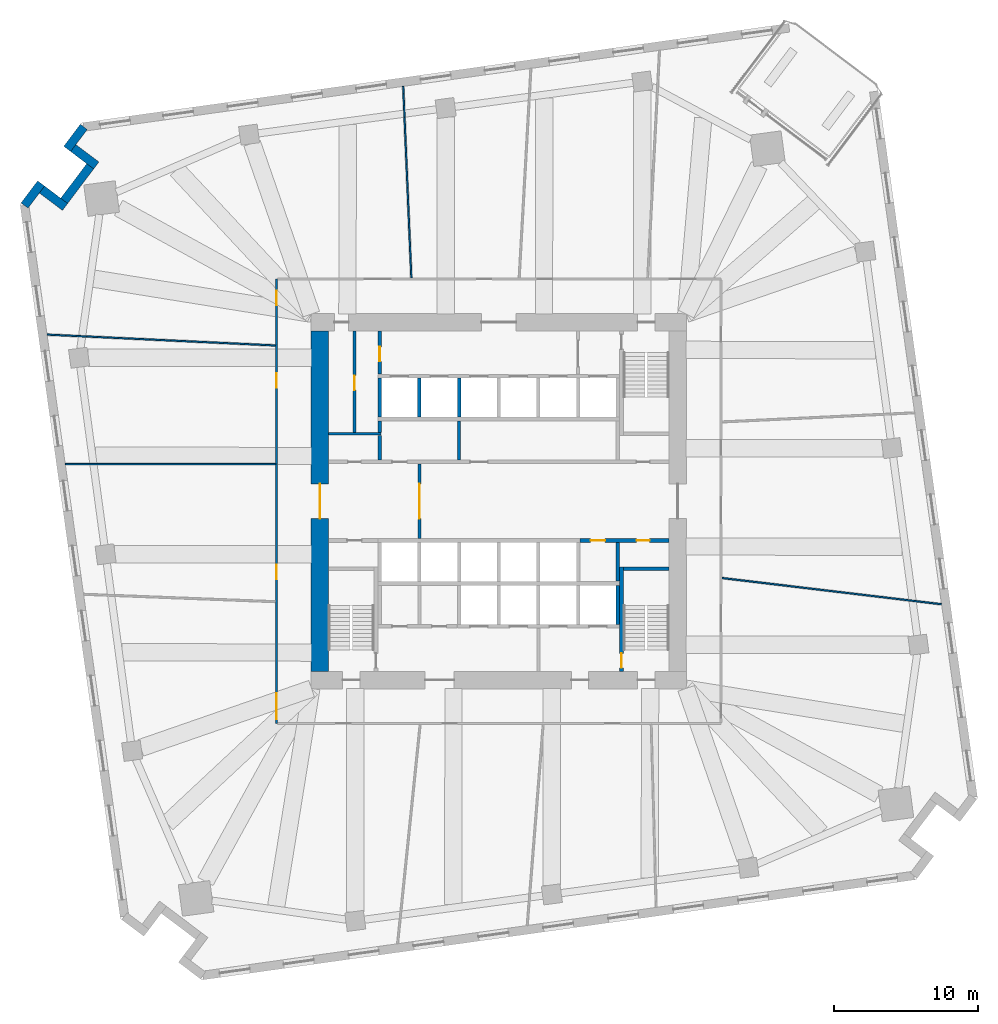
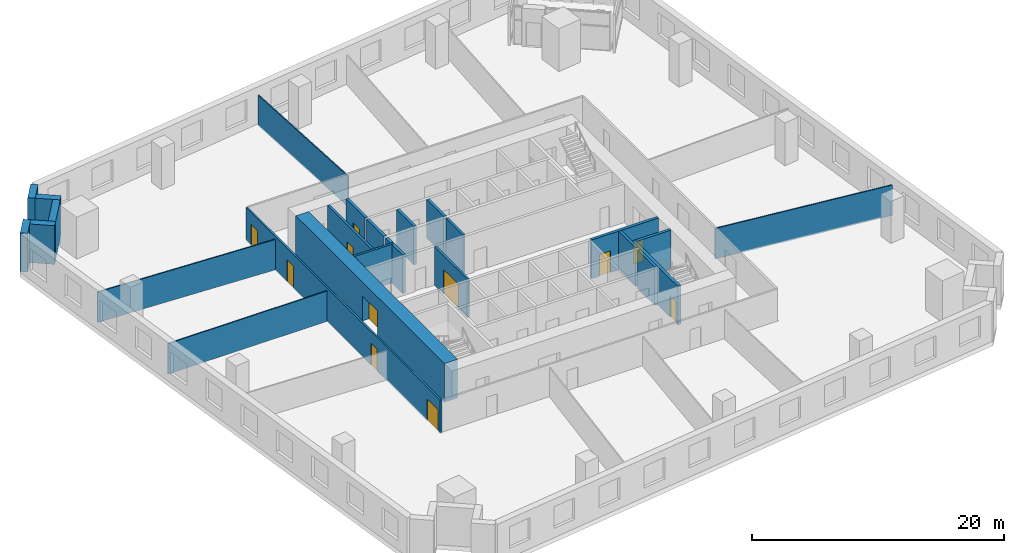
# One storey, part 7 of 12: 26 walls, 11 doors, 11 openings.
"""IFC4 building model written with IfcOpenShell, lengths in metres."""

from ifc_helpers import new_model, si_unit, direction, frame, frame_2d, origin, place, context, subcontext, project, spatial, rectangle, extrude, material, layer, layer_set, type_object, element, fill, save


model = new_model("IFC4")

# Units and contexts
model_context = context("Model", 3, precision=1e-05, world=origin(), true_north=direction((0.0, 1.0)))
body_context = subcontext(model_context, "Body", "Model", "MODEL_VIEW")
ifc_project = project(units=[si_unit("LENGTHUNIT", "METRE"), si_unit("AREAUNIT", "SQUARE_METRE"), si_unit("VOLUMEUNIT", "CUBIC_METRE"), si_unit("PLANEANGLEUNIT", "RADIAN"), si_unit("MASSUNIT", "GRAM", prefix="KILO")], contexts=[model_context])

# Site, building, storey
site_placement = place(None, origin())
site = spatial("IfcSite", under=ifc_project, at=site_placement, CompositionType="ELEMENT")
building_placement = place(site_placement, origin())
building = spatial("IfcBuilding", under=site, at=building_placement, Name="Dilmun Exchange Tower", CompositionType="ELEMENT")
storey_placement = place(building_placement, frame((0.0, 0.0, 55.5)))
storey = spatial("IfcBuildingStorey", under=building, at=storey_placement, Name="L12", CompositionType="ELEMENT", Elevation=55.5)

# Wall, opening, door
ifc_material_1 = material(Name="Concrete C40/50", Category="concrete")
ifc_layer_1 = layer(ifc_material_1, 0.199951171875)
ifc_layer_set_1 = layer_set([ifc_layer_1], Name="Concrete C40/50")
wall_type_1 = type_object("IfcWallType", Name="Core partition wall 200", PredefinedType="PARTITIONING", material=ifc_layer_set_1)
wall_1_placement = place(storey_placement, frame((-5.5, -2.594970703125, 0.0), z_axis=(0.0, 0.0, 1.0), x_axis=(0.0, 1.0, 0.0)))
wall_1 = element("IfcWall", 1, at=wall_1_placement, inside=storey, type_object=wall_type_1, Name="L12 core partition wall 08", PredefinedType="PARTITIONING", context=body_context, shape_type="SweptSolid", body=[
    extrude(rectangle(XDim=5.18994140625, YDim=0.199951171875, at=frame_2d((2.594970703125, 0.0))), origin(), (0.0, 0.0, 1.0), 3.75),
])
opening_1_placement = place(wall_1_placement, frame((1.39501953125, 0.0, 0.0)))
opening_1 = element("IfcOpeningElement", 2, at=opening_1_placement, cuts=wall_1, Name="Opening CD1", PredefinedType="OPENING", context=body_context, shape_type="SweptSolid", body=[
    extrude(rectangle(XDim=2.39990234375, YDim=2.39990234375, at=frame_2d((1.199951171875, 1.199951171875))), frame((0.0, 0.10986328125, 0.0), z_axis=(0.0, -1.0, 0.0), x_axis=(1.0, 0.0, 0.0)), (0.0, 0.0, 1.0), 0.219970703125),
])
ifc_material_2 = material(Name="Fire-rated steel door set", Category="steel")
door_type_1 = type_object("IfcDoorType", Name="Core lobby door 2400x2400", OperationType="DOUBLE_DOOR_DOUBLE_SWING", PredefinedType="DOOR", material=ifc_material_2)
door_1_placement = place(opening_1_placement, origin())
door_1 = element("IfcDoor", 3, at=door_1_placement, inside=storey, type_object=door_type_1, Name="L12 door Lift lobby east", OperationType="SINGLE_SWING_LEFT", OverallHeight=2.39990234375, OverallWidth=2.39990234375, PredefinedType="DOOR", context=body_context, shape_type="SweptSolid", body=[
    extrude(rectangle(XDim=2.39990234375, YDim=2.39990234375, at=frame_2d((1.199951171875, 1.199951171875))), frame((0.0, 0.02490234375, 0.0), z_axis=(0.0, -1.0, 0.0), x_axis=(1.0, 0.0, 0.0)), (0.0, 0.0, 1.0), 0.050048828125),
])
fill(opening_1, door_1)

# Walls
wall_2_placement = place(storey_placement, frame((-2.75, 2.85498046875, 0.0), z_axis=(0.0, 0.0, 1.0), x_axis=(0.0, 1.0, 0.0)))
element("IfcWall", 4, at=wall_2_placement, inside=storey, type_object=wall_type_1, Name="L12 core partition wall 11", PredefinedType="PARTITIONING", context=body_context, shape_type="SweptSolid", body=[
    extrude(rectangle(XDim=2.68994140625, YDim=0.199951171875, at=frame_2d((1.344970703125, 0.0))), origin(), (0.0, 0.0, 1.0), 3.75),
])
wall_3_placement = place(storey_placement, frame((-11.794921875, 4.675048828125, 0.0), z_axis=(0.0, 0.0, 1.0), x_axis=(1.0, 0.0, 0.0)))
element("IfcWall", 5, at=wall_3_placement, inside=storey, type_object=wall_type_1, Name="L12 core partition wall 13", PredefinedType="PARTITIONING", context=body_context, shape_type="SweptSolid", body=[
    extrude(rectangle(XDim=3.64501953125, YDim=0.199951171875, at=frame_2d((1.822509765625, 0.0))), origin(), (0.0, 0.0, 1.0), 3.75),
])

# Wall, opening, door
wall_4_placement = place(storey_placement, frame((-10.0, 4.780029296875, 0.0), z_axis=(0.0, 0.0, 1.0), x_axis=(0.0, 1.0, 0.0)))
wall_4 = element("IfcWall", 6, at=wall_4_placement, inside=storey, type_object=wall_type_1, Name="L12 core partition wall 14", PredefinedType="PARTITIONING", context=body_context, shape_type="SweptSolid", body=[
    extrude(rectangle(XDim=7.014892578125, YDim=0.199951171875, at=frame_2d((3.50732421875, 0.0))), origin(), (0.0, 0.0, 1.0), 3.75),
])
opening_2_placement = place(wall_4_placement, frame((2.919921875, 0.0, 0.0)))
opening_2 = element("IfcOpeningElement", 7, at=opening_2_placement, cuts=wall_4, Name="Opening CD4", PredefinedType="OPENING", context=body_context, shape_type="SweptSolid", body=[
    extrude(rectangle(XDim=1.0, YDim=2.10009765625, at=frame_2d((0.5, 1.050048828125))), frame((0.0, 0.10986328125, 0.0), z_axis=(0.0, -1.0, 0.0), x_axis=(1.0, 0.0, 0.0)), (0.0, 0.0, 1.0), 0.219970703125),
])
door_type_2 = type_object("IfcDoorType", Name="Core room door 1000x2100", OperationType="SINGLE_SWING_LEFT", PredefinedType="DOOR", material=ifc_material_2)
door_2_placement = place(opening_2_placement, origin())
door_2 = element("IfcDoor", 8, at=door_2_placement, inside=storey, type_object=door_type_2, Name="L12 door Comms room", OperationType="SINGLE_SWING_LEFT", OverallHeight=2.10009765625, OverallWidth=1.0, PredefinedType="DOOR", context=body_context, shape_type="SweptSolid", body=[
    extrude(rectangle(XDim=1.0, YDim=2.10009765625, at=frame_2d((0.5, 1.050048828125))), frame((0.0, 0.02490234375, 0.0), z_axis=(0.0, -1.0, 0.0), x_axis=(1.0, 0.0, 0.0)), (0.0, 0.0, 1.0), 0.050048828125),
])
fill(opening_2, door_2)

# Wall
ifc_layer_2 = layer(ifc_material_1, 0.25)
ifc_layer_set_2 = layer_set([ifc_layer_2], Name="Concrete C40/50")
wall_type_2 = type_object("IfcWallType", Name="Core partition wall 250", PredefinedType="PARTITIONING", material=ifc_layer_set_2)
wall_5_placement = place(storey_placement, frame((8.25, -5.544921875, 0.0), z_axis=(0.0, 0.0, 1.0), x_axis=(0.0, 1.0, 0.0)))
element("IfcWall", 9, at=wall_5_placement, inside=storey, type_object=wall_type_2, Name="L12 core partition wall 05", PredefinedType="PARTITIONING", context=body_context, shape_type="SweptSolid", body=[
    extrude(rectangle(XDim=2.68994140625, YDim=0.25, at=frame_2d((1.344970703125, 0.0))), origin(), (0.0, 0.0, 1.0), 3.75),
])

# Wall, openings, doors
wall_6_placement = place(storey_placement, frame((5.6298828125, -2.72509765625, 0.0), z_axis=(0.0, 0.0, 1.0), x_axis=(1.0, 0.0, 0.0)))
wall_6 = element("IfcWall", 10, at=wall_6_placement, inside=storey, type_object=wall_type_2, Name="L12 core partition wall 07", PredefinedType="PARTITIONING", context=body_context, shape_type="SweptSolid", body=[
    extrude(rectangle(XDim=6.1650390625, YDim=0.25, at=frame_2d((3.08251953125, 0.0))), origin(), (0.0, 0.0, 1.0), 3.75),
])
opening_3_placement = place(wall_6_placement, frame((0.7451171875, 0.0, 0.0)))
opening_3 = element("IfcOpeningElement", 11, at=opening_3_placement, cuts=wall_6, Name="Opening CD4", PredefinedType="OPENING", context=body_context, shape_type="SweptSolid", body=[
    extrude(rectangle(XDim=1.0, YDim=2.10009765625, at=frame_2d((0.5, 1.050048828125))), frame((0.0, 0.135009765625, 0.0), z_axis=(0.0, -1.0, 0.0), x_axis=(1.0, 0.0, 0.0)), (0.0, 0.0, 1.0), 0.27001953125),
])
opening_4_placement = place(wall_6_placement, frame((3.919921875, 0.0, 0.0)))
opening_4 = element("IfcOpeningElement", 12, at=opening_4_placement, cuts=wall_6, Name="Opening CD6", PredefinedType="OPENING", context=body_context, shape_type="SweptSolid", body=[
    extrude(rectangle(XDim=0.89990234375, YDim=2.10009765625, at=frame_2d((0.449951171875, 1.050048828125))), frame((0.0, 0.135009765625, 0.0), z_axis=(0.0, -1.0, 0.0), x_axis=(1.0, 0.0, 0.0)), (0.0, 0.0, 1.0), 0.27001953125),
])
door_3_placement = place(opening_3_placement, origin())
door_3 = element("IfcDoor", 13, at=door_3_placement, inside=storey, type_object=door_type_2, Name="L12 door Cleaners' store", OperationType="SINGLE_SWING_LEFT", OverallHeight=2.10009765625, OverallWidth=1.0, PredefinedType="DOOR", context=body_context, shape_type="SweptSolid", body=[
    extrude(rectangle(XDim=1.0, YDim=2.10009765625, at=frame_2d((0.5, 1.050048828125))), frame((0.0, 0.02490234375, 0.0), z_axis=(0.0, -1.0, 0.0), x_axis=(1.0, 0.0, 0.0)), (0.0, 0.0, 1.0), 0.050048828125),
])
fill(opening_3, door_3)
door_type_3 = type_object("IfcDoorType", Name="Core room door 900x2100", OperationType="SINGLE_SWING_LEFT", PredefinedType="DOOR", material=ifc_material_2)
door_4_placement = place(opening_4_placement, origin())
door_4 = element("IfcDoor", 14, at=door_4_placement, inside=storey, type_object=door_type_3, Name="L12 door Comms riser", OperationType="SINGLE_SWING_LEFT", OverallHeight=2.10009765625, OverallWidth=0.89990234375, PredefinedType="DOOR", context=body_context, shape_type="SweptSolid", body=[
    extrude(rectangle(XDim=0.89990234375, YDim=2.10009765625, at=frame_2d((0.449951171875, 1.050048828125))), frame((0.0, 0.02490234375, 0.0), z_axis=(0.0, -1.0, 0.0), x_axis=(1.0, 0.0, 0.0)), (0.0, 0.0, 1.0), 0.050048828125),
])
fill(opening_4, door_4)

# Walls
wall_7_placement = place(storey_placement, frame((-8.25, 2.85498046875, 0.0), z_axis=(0.0, 0.0, 1.0), x_axis=(0.0, 1.0, 0.0)))
element("IfcWall", 15, at=wall_7_placement, inside=storey, type_object=wall_type_2, Name="L12 core partition wall 10", PredefinedType="PARTITIONING", context=body_context, shape_type="SweptSolid", body=[
    extrude(rectangle(XDim=1.715087890625, YDim=0.25, at=frame_2d((0.857421875, 0.0))), origin(), (0.0, 0.0, 1.0), 3.75),
])
wall_8_placement = place(storey_placement, frame((-8.25, 4.780029296875, 0.0), z_axis=(0.0, 0.0, 1.0), x_axis=(0.0, 1.0, 0.0)))
element("IfcWall", 16, at=wall_8_placement, inside=storey, type_object=wall_type_2, Name="L12 core partition wall 15", PredefinedType="PARTITIONING", context=body_context, shape_type="SweptSolid", body=[
    extrude(rectangle(XDim=0.764892578125, YDim=0.25, at=frame_2d((0.38232421875, 0.0))), origin(), (0.0, 0.0, 1.0), 3.75),
])

# Wall, opening, door
wall_9_placement = place(storey_placement, frame((-8.25, 8.804931640625, 0.0), z_axis=(0.0, 0.0, 1.0), x_axis=(0.0, 1.0, 0.0)))
wall_9 = element("IfcWall", 17, at=wall_9_placement, inside=storey, type_object=wall_type_2, Name="L12 core partition wall 16", PredefinedType="PARTITIONING", context=body_context, shape_type="SweptSolid", body=[
    extrude(rectangle(XDim=2.989990234375, YDim=0.25, at=frame_2d((1.4951171875, 0.0))), origin(), (0.0, 0.0, 1.0), 3.75),
])
opening_5_placement = place(wall_9_placement, frame((0.89501953125, 0.0, 0.0)))
opening_5 = element("IfcOpeningElement", 18, at=opening_5_placement, cuts=wall_9, Name="Opening CD4", PredefinedType="OPENING", context=body_context, shape_type="SweptSolid", body=[
    extrude(rectangle(XDim=1.0, YDim=2.10009765625, at=frame_2d((0.5, 1.050048828125))), frame((0.0, 0.135009765625, 0.0), z_axis=(0.0, -1.0, 0.0), x_axis=(1.0, 0.0, 0.0)), (0.0, 0.0, 1.0), 0.27001953125),
])
door_5_placement = place(opening_5_placement, origin())
door_5 = element("IfcDoor", 19, at=door_5_placement, inside=storey, type_object=door_type_2, Name="L12 door Security room", OperationType="SINGLE_SWING_LEFT", OverallHeight=2.10009765625, OverallWidth=1.0, PredefinedType="DOOR", context=body_context, shape_type="SweptSolid", body=[
    extrude(rectangle(XDim=1.0, YDim=2.10009765625, at=frame_2d((0.5, 1.050048828125))), frame((0.0, 0.02490234375, 0.0), z_axis=(0.0, -1.0, 0.0), x_axis=(1.0, 0.0, 0.0)), (0.0, 0.0, 1.0), 0.050048828125),
])
fill(opening_5, door_5)

ifc_material_3 = material(Name="Concrete C80/95", Category="concrete")
ifc_layer_3 = layer(ifc_material_3, 1.199951171875)
ifc_layer_set_3 = layer_set([ifc_layer_3], Name="Concrete C80/95")
wall_type_3 = type_object("IfcWallType", Name="Core shear wall 1200 Concrete C80/95", PredefinedType="SHEAR", material=ifc_layer_set_3)
wall_10_placement = place(storey_placement, frame((-12.39990234375, -11.800048828125, 0.0), z_axis=(0.0, 0.0, 1.0), x_axis=(0.0, 1.0, 0.0)))
wall_10 = element("IfcWall", 20, at=wall_10_placement, inside=storey, type_object=wall_type_3, Name="L12 core shear wall W", PredefinedType="SHEAR", context=body_context, shape_type="SweptSolid", body=[
    extrude(rectangle(XDim=23.60009765625, YDim=1.199951171875, at=frame_2d((11.800048828125, 0.0))), origin(), (0.0, 0.0, 1.0), 3.75),
])
opening_6_placement = place(wall_10_placement, frame((10.60009765625, 0.0, 0.0)))
opening_6 = element("IfcOpeningElement", 21, at=opening_6_placement, cuts=wall_10, Name="Opening CD1", PredefinedType="OPENING", context=body_context, shape_type="SweptSolid", body=[
    extrude(rectangle(XDim=2.39990234375, YDim=2.39990234375, at=frame_2d((1.199951171875, 1.199951171875))), frame((0.0, 0.60986328125, 0.0), z_axis=(0.0, -1.0, 0.0), x_axis=(1.0, 0.0, 0.0)), (0.0, 0.0, 1.0), 1.219970703125),
])
door_6_placement = place(opening_6_placement, origin())
door_6 = element("IfcDoor", 22, at=door_6_placement, inside=storey, type_object=door_type_1, Name="L12 door Central lift lobby", OperationType="SINGLE_SWING_LEFT", OverallHeight=2.39990234375, OverallWidth=2.39990234375, PredefinedType="DOOR", context=body_context, shape_type="SweptSolid", body=[
    extrude(rectangle(XDim=2.39990234375, YDim=2.39990234375, at=frame_2d((1.199951171875, 1.199951171875))), frame((0.0, 0.02490234375, 0.0), z_axis=(0.0, -1.0, 0.0), x_axis=(1.0, 0.0, 0.0)), (0.0, 0.0, 1.0), 0.050048828125),
])
fill(opening_6, door_6)

# Wall, openings, doors
ifc_material_4 = material(Name="Corridor wall 150")
ifc_layer_4 = layer(ifc_material_4, 0.14990234375)
ifc_layer_set_4 = layer_set([ifc_layer_4], Name="Corridor wall 150")
wall_type_4 = type_object("IfcWallType", Name="Corridor wall 150", PredefinedType="PARTITIONING", material=ifc_layer_set_4)
wall_11_placement = place(storey_placement, frame((-15.39990234375, -15.39990234375, 0.0), z_axis=(0.0, 0.0, 1.0), x_axis=(0.0, 1.0, 0.0)))
wall_11 = element("IfcWall", 23, at=wall_11_placement, inside=storey, type_object=wall_type_4, Name="Corridor wall", PredefinedType="PARTITIONING", context=body_context, shape_type="SweptSolid", body=[
    extrude(rectangle(XDim=30.7998046875, YDim=0.14990234375, at=frame_2d((15.39990234375, 0.0))), origin(), (0.0, 0.0, 1.0), 3.25),
])
opening_7_placement = place(wall_11_placement, frame((23.27197265625, 0.0, 0.0)))
opening_7 = element("IfcOpeningElement", 24, at=opening_7_placement, cuts=wall_11, Name="Opening TF11-D01", PredefinedType="OPENING", context=body_context, shape_type="SweptSolid", body=[
    extrude(rectangle(XDim=1.0, YDim=2.10009765625, at=frame_2d((0.5, 1.050048828125))), frame((0.0, 0.0849609375, 0.0), z_axis=(0.0, -1.0, 0.0), x_axis=(1.0, 0.0, 0.0)), (0.0, 0.0, 1.0), 0.169921875),
])
opening_8_placement = place(wall_11_placement, frame((9.982177734375, 0.0, 0.0)))
opening_8 = element("IfcOpeningElement", 25, at=opening_8_placement, cuts=wall_11, Name="Opening TF11-D02", PredefinedType="OPENING", context=body_context, shape_type="SweptSolid", body=[
    extrude(rectangle(XDim=1.0, YDim=2.10009765625, at=frame_2d((0.5, 1.050048828125))), frame((0.0, 0.0849609375, 0.0), z_axis=(0.0, -1.0, 0.0), x_axis=(1.0, 0.0, 0.0)), (0.0, 0.0, 1.0), 0.169921875),
])
opening_9_placement = place(wall_11_placement, frame((28.993408203125, 0.0, 0.0)))
opening_9 = element("IfcOpeningElement", 26, at=opening_9_placement, cuts=wall_11, Name="Opening TF11-D04", PredefinedType="OPENING", context=body_context, shape_type="SweptSolid", body=[
    extrude(rectangle(XDim=1.0, YDim=2.10009765625, at=frame_2d((0.5, 1.050048828125))), frame((0.0, 0.0849609375, 0.0), z_axis=(0.0, -1.0, 0.0), x_axis=(1.0, 0.0, 0.0)), (0.0, 0.0, 1.0), 0.169921875),
])
opening_10_placement = place(wall_11_placement, frame((0.300048828125, 0.0, 0.0)))
opening_10 = element("IfcOpeningElement", 27, at=opening_10_placement, cuts=wall_11, Name="Opening TF11-D05", PredefinedType="OPENING", context=body_context, shape_type="SweptSolid", body=[
    extrude(rectangle(XDim=1.800048828125, YDim=2.10009765625, at=frame_2d((0.89990234375, 1.050048828125))), frame((0.0, 0.0849609375, 0.0), z_axis=(0.0, -1.0, 0.0), x_axis=(1.0, 0.0, 0.0)), (0.0, 0.0, 1.0), 0.169921875),
])
ifc_material_5 = material(Name="Fire door 1000 x 2100")
door_type_4 = type_object("IfcDoorType", Name="Fire door 1000 x 2100", OperationType="NOTDEFINED", PredefinedType="DOOR", material=ifc_material_5)
door_7_placement = place(opening_7_placement, origin())
door_7 = element("IfcDoor", 28, at=door_7_placement, inside=storey, type_object=door_type_4, Name="Door TF11-D01", OperationType="SINGLE_SWING_LEFT", OverallHeight=2.10009765625, OverallWidth=1.0, PredefinedType="DOOR", context=body_context, shape_type="SweptSolid", body=[
    extrude(rectangle(XDim=1.0, YDim=2.10009765625, at=frame_2d((0.5, 1.050048828125))), frame((0.0, 0.02490234375, 0.0), z_axis=(0.0, -1.0, 0.0), x_axis=(1.0, 0.0, 0.0)), (0.0, 0.0, 1.0), 0.050048828125),
])
fill(opening_7, door_7)
door_8_placement = place(opening_8_placement, origin())
door_8 = element("IfcDoor", 29, at=door_8_placement, inside=storey, type_object=door_type_4, Name="Door TF11-D02", OperationType="SINGLE_SWING_RIGHT", OverallHeight=2.10009765625, OverallWidth=1.0, PredefinedType="DOOR", context=body_context, shape_type="SweptSolid", body=[
    extrude(rectangle(XDim=1.0, YDim=2.10009765625, at=frame_2d((0.5, 1.050048828125))), frame((0.0, 0.02490234375, 0.0), z_axis=(0.0, -1.0, 0.0), x_axis=(1.0, 0.0, 0.0)), (0.0, 0.0, 1.0), 0.050048828125),
])
fill(opening_8, door_8)
door_9_placement = place(opening_9_placement, origin())
door_9 = element("IfcDoor", 30, at=door_9_placement, inside=storey, type_object=door_type_4, Name="Door TF11-D04", OperationType="SINGLE_SWING_LEFT", OverallHeight=2.10009765625, OverallWidth=1.0, PredefinedType="DOOR", context=body_context, shape_type="SweptSolid", body=[
    extrude(rectangle(XDim=1.0, YDim=2.10009765625, at=frame_2d((0.5, 1.050048828125))), frame((0.0, 0.02490234375, 0.0), z_axis=(0.0, -1.0, 0.0), x_axis=(1.0, 0.0, 0.0)), (0.0, 0.0, 1.0), 0.050048828125),
])
fill(opening_9, door_9)
ifc_material_6 = material(Name="Fire door pair 1800 x 2100")
door_type_5 = type_object("IfcDoorType", Name="Fire door pair 1800 x 2100", OperationType="NOTDEFINED", PredefinedType="DOOR", material=ifc_material_6)
door_10_placement = place(opening_10_placement, origin())
door_10 = element("IfcDoor", 31, at=door_10_placement, inside=storey, type_object=door_type_5, Name="Door TF11-D05", OperationType="DOUBLE_DOOR_SINGLE_SWING", OverallHeight=2.10009765625, OverallWidth=1.800048828125, PredefinedType="DOOR", context=body_context, shape_type="SweptSolid", body=[
    extrude(rectangle(XDim=1.800048828125, YDim=2.10009765625, at=frame_2d((0.89990234375, 1.050048828125))), frame((0.0, 0.02490234375, 0.0), z_axis=(0.0, -1.0, 0.0), x_axis=(1.0, 0.0, 0.0)), (0.0, 0.0, 1.0), 0.050048828125),
])
fill(opening_10, door_10)

# Walls
ifc_layer_5 = layer(ifc_material_1, 0.25)
ifc_layer_set_5 = layer_set([ifc_layer_5], Name="Concrete C40/50")
wall_type_5 = type_object("IfcWallType", Name="Lift shaft wall 250", PredefinedType="SOLIDWALL", material=ifc_layer_set_5)
for number, where, z_axis, x_axis, name in (
    (32, (-8.25, 5.85009765625, 0.0), (0.0, 0.0, 1.0), (0.0, 1.0, 0.0), "L12 lift shaft divider N20"),
    (33, (-5.5, 5.85009765625, 0.0), (0.0, 0.0, 1.0), (0.0, 1.0, 0.0), "L12 lift shaft divider N21"),
    (34, (-2.75, 5.85009765625, 0.0), (0.0, 0.0, 1.0), (0.0, 1.0, 0.0), "L12 lift shaft divider N22"),
    (35, (8.25, -8.550048828125, 0.0), (0.0, 0.0, 1.0), (0.0, 1.0, 0.0), "L12 lift shaft divider S26"),
):
    element("IfcWall", number, at=place(storey_placement, frame(where, z_axis=z_axis, x_axis=x_axis)), inside=storey, type_object=wall_type_5, Name=name, PredefinedType="SOLIDWALL", context=body_context, shape_type="SweptSolid", body=[
        extrude(rectangle(XDim=2.699951171875, YDim=0.25, at=frame_2d((1.35009765625, 0.0))), origin(), (0.0, 0.0, 1.0), 3.75),
    ])
ifc_material_7 = material(Name="Partition 100")
ifc_layer_6 = layer(ifc_material_7, 0.10009765625)
ifc_layer_set_6 = layer_set([ifc_layer_6], Name="Partition 100")
wall_type_6 = type_object("IfcWallType", Name="Partition 100", PredefinedType="PARTITIONING", material=ifc_layer_set_6)
wall_12_placement = place(storey_placement, frame((-31.31005859375, 11.5498046875, 0.0), z_axis=(0.0, 0.0, 1.0), x_axis=(0.998870436484, -0.047516850882, 0.0)))
element("IfcWall", 36, at=wall_12_placement, inside=storey, type_object=wall_type_6, Name="Partition", PredefinedType="PARTITIONING", context=body_context, shape_type="SweptSolid", body=[
    extrude(rectangle(XDim=15.8505859375, YDim=0.10009765625, at=frame_2d((7.92529296875, 0.0))), origin(), (0.0, 0.0, 1.0), 2.949951171875),
])
wall_13_placement = place(storey_placement, frame((-30.049072265625, 2.576904296875, 0.0), z_axis=(0.0, 0.0, 1.0), x_axis=(0.999999943875, -0.000335036416, 0.0)))
element("IfcWall", 37, at=wall_13_placement, inside=storey, type_object=wall_type_6, Name="Partition", PredefinedType="PARTITIONING", context=body_context, shape_type="SweptSolid", body=[
    extrude(rectangle(XDim=14.573974609375, YDim=0.10009765625, at=frame_2d((7.287109375, 0.0))), origin(), (0.0, 0.0, 1.0), 2.949951171875),
])
wall_14_placement = place(storey_placement, frame((-6.625244140625, 28.755859375, 0.0), z_axis=(0.0, 0.0, 1.0), x_axis=(0.042506133855, -0.99909620587, 0.0)))
element("IfcWall", 38, at=wall_14_placement, inside=storey, type_object=wall_type_6, Name="Partition", PredefinedType="PARTITIONING", context=body_context, shape_type="SweptSolid", body=[
    extrude(rectangle(XDim=13.290771484375, YDim=0.10009765625, at=frame_2d((6.6455078125, 0.0))), origin(), (0.0, 0.0, 1.0), 2.949951171875),
])
wall_15_placement = place(storey_placement, frame((15.48095703125, -5.32373046875, 0.0), z_axis=(0.0, 0.0, 1.0), x_axis=(0.992944104388, -0.118583327501, 0.0)))
element("IfcWall", 39, at=wall_15_placement, inside=storey, type_object=wall_type_6, Name="Partition", PredefinedType="PARTITIONING", context=body_context, shape_type="SweptSolid", body=[
    extrude(rectangle(XDim=15.317626953125, YDim=0.10009765625, at=frame_2d((7.65869140625, 0.0))), origin(), (0.0, 0.0, 1.0), 2.949951171875),
])
ifc_material_8 = material(Name="Precast concrete C50/60", Category="concrete")
ifc_layer_7 = layer(ifc_material_8, 0.60009765625)
ifc_layer_set_7 = layer_set([ifc_layer_7], Name="Precast concrete C50/60")
wall_type_7 = type_object("IfcWallType", Name="Precast stone-clad wall 600", PredefinedType="STANDARD", material=ifc_layer_set_7)
wall_16_placement = place(storey_placement, frame((-28.76708984375, 25.948974609375, 0.0), z_axis=(0.0, 0.0, 1.0), x_axis=(-0.601797104511, -0.798649012397, 0.0)))
element("IfcWall", 40, at=wall_16_placement, inside=storey, type_object=wall_type_7, Name="Facade wall L12-04", PredefinedType="STANDARD", context=body_context, shape_type="SweptSolid", body=[
    extrude(rectangle(XDim=1.9111328125, YDim=0.60009765625, at=frame_2d((0.95556640625, 0.0))), origin(), (0.0, 0.0, 1.0), 3.75),
])
wall_17_placement = place(storey_placement, frame((-29.497314453125, 24.481689453125, 0.0), z_axis=(0.0, 0.0, 1.0), x_axis=(0.798606420838, -0.601853623896, 0.0)))
element("IfcWall", 41, at=wall_17_placement, inside=storey, type_object=wall_type_7, Name="Facade wall L12-05", PredefinedType="STANDARD", context=body_context, shape_type="SweptSolid", body=[
    extrude(rectangle(XDim=2.000244140625, YDim=0.60009765625, at=frame_2d((1.0, 0.0))), origin(), (0.0, 0.0, 1.0), 3.75),
])
wall_18_placement = place(storey_placement, frame((-28.320068359375, 23.218994140625, 0.0), z_axis=(0.0, 0.0, 1.0), x_axis=(-0.601795327796, -0.798650351182, 0.0)))
element("IfcWall", 42, at=wall_18_placement, inside=storey, type_object=wall_type_7, Name="Facade wall L12-06", PredefinedType="STANDARD", context=body_context, shape_type="SweptSolid", body=[
    extrude(rectangle(XDim=3.0, YDim=0.60009765625, at=frame_2d((1.5, 0.0))), origin(), (0.0, 0.0, 1.0), 3.75),
])
wall_19_placement = place(storey_placement, frame((-30.06640625, 20.40283203125, 0.0), z_axis=(0.0, 0.0, 1.0), x_axis=(-0.798665086418, 0.601775771976, 0.0)))
element("IfcWall", 43, at=wall_19_placement, inside=storey, type_object=wall_type_7, Name="Facade wall L12-07", PredefinedType="STANDARD", context=body_context, shape_type="SweptSolid", body=[
    extrude(rectangle(XDim=2.0, YDim=0.60009765625, at=frame_2d((1.0, 0.0))), origin(), (0.0, 0.0, 1.0), 3.75),
])
wall_20_placement = place(storey_placement, frame((-31.722900390625, 22.026611328125, 0.0), z_axis=(0.0, 0.0, 1.0), x_axis=(-0.601797104511, -0.798649012397, 0.0)))
element("IfcWall", 44, at=wall_20_placement, inside=storey, type_object=wall_type_7, Name="Facade wall L12-08", PredefinedType="STANDARD", context=body_context, shape_type="SweptSolid", body=[
    extrude(rectangle(XDim=1.9111328125, YDim=0.60009765625, at=frame_2d((0.95556640625, 0.0))), origin(), (0.0, 0.0, 1.0), 3.75),
])
ifc_layer_8 = layer(ifc_material_1, 0.25)
ifc_layer_set_8 = layer_set([ifc_layer_8], Name="Concrete C40/50")
wall_type_8 = type_object("IfcWallType", Name="Stair end wall 250", PredefinedType="SOLIDWALL", material=ifc_layer_set_8)
wall_21_placement = place(storey_placement, frame((8.64990234375, -4.675048828125, 0.0), z_axis=(0.0, 0.0, 1.0), x_axis=(1.0, 0.0, 0.0)))
element("IfcWall", 45, at=wall_21_placement, inside=storey, type_object=wall_type_8, Name="L12 ST3 far wall", PredefinedType="SOLIDWALL", context=body_context, shape_type="SweptSolid", body=[
    extrude(rectangle(XDim=3.150146484375, YDim=0.25, at=frame_2d((1.5751953125, 0.0))), origin(), (0.0, 0.0, 1.0), 3.75),
])

# Wall, opening, door
ifc_layer_9 = layer(ifc_material_1, 0.27490234375)
ifc_layer_set_9 = layer_set([ifc_layer_9], Name="Concrete C40/50")
wall_type_9 = type_object("IfcWallType", Name="Stair wall 275", PredefinedType="SOLIDWALL", material=ifc_layer_set_9)
wall_22_placement = place(storey_placement, frame((8.512451171875, -4.550048828125, 0.0), z_axis=(0.0, 0.0, 1.0), x_axis=(0.0, -1.0, 0.0)))
wall_22 = element("IfcWall", 46, at=wall_22_placement, inside=storey, type_object=wall_type_9, Name="L12 ST3 wall to lift block", PredefinedType="SOLIDWALL", context=body_context, shape_type="SweptSolid", body=[
    extrude(rectangle(XDim=7.25, YDim=0.27490234375, at=frame_2d((3.625, 0.0))), origin(), (0.0, 0.0, 1.0), 3.75),
])
opening_11_placement = place(wall_22_placement, frame((6.0, 0.0, 0.0)))
opening_11 = element("IfcOpeningElement", 47, at=opening_11_placement, cuts=wall_22, Name="Opening CD4", PredefinedType="OPENING", context=body_context, shape_type="SweptSolid", body=[
    extrude(rectangle(XDim=1.0, YDim=2.10009765625, at=frame_2d((0.5, 1.050048828125))), frame((0.0, 0.1474609375, 0.0), z_axis=(0.0, -1.0, 0.0), x_axis=(1.0, 0.0, 0.0)), (0.0, 0.0, 1.0), 0.294921875),
])
door_11_placement = place(opening_11_placement, origin())
door_11 = element("IfcDoor", 48, at=door_11_placement, inside=storey, type_object=door_type_2, Name="L12 door ST3 from lobby", OperationType="SINGLE_SWING_LEFT", OverallHeight=2.10009765625, OverallWidth=1.0, PredefinedType="DOOR", context=body_context, shape_type="SweptSolid", body=[
    extrude(rectangle(XDim=1.0, YDim=2.10009765625, at=frame_2d((0.5, 1.050048828125))), frame((0.0, 0.02490234375, 0.0), z_axis=(0.0, -1.0, 0.0), x_axis=(1.0, 0.0, 0.0)), (0.0, 0.0, 1.0), 0.050048828125),
])
fill(opening_11, door_11)

save(model, "model.ifc")
